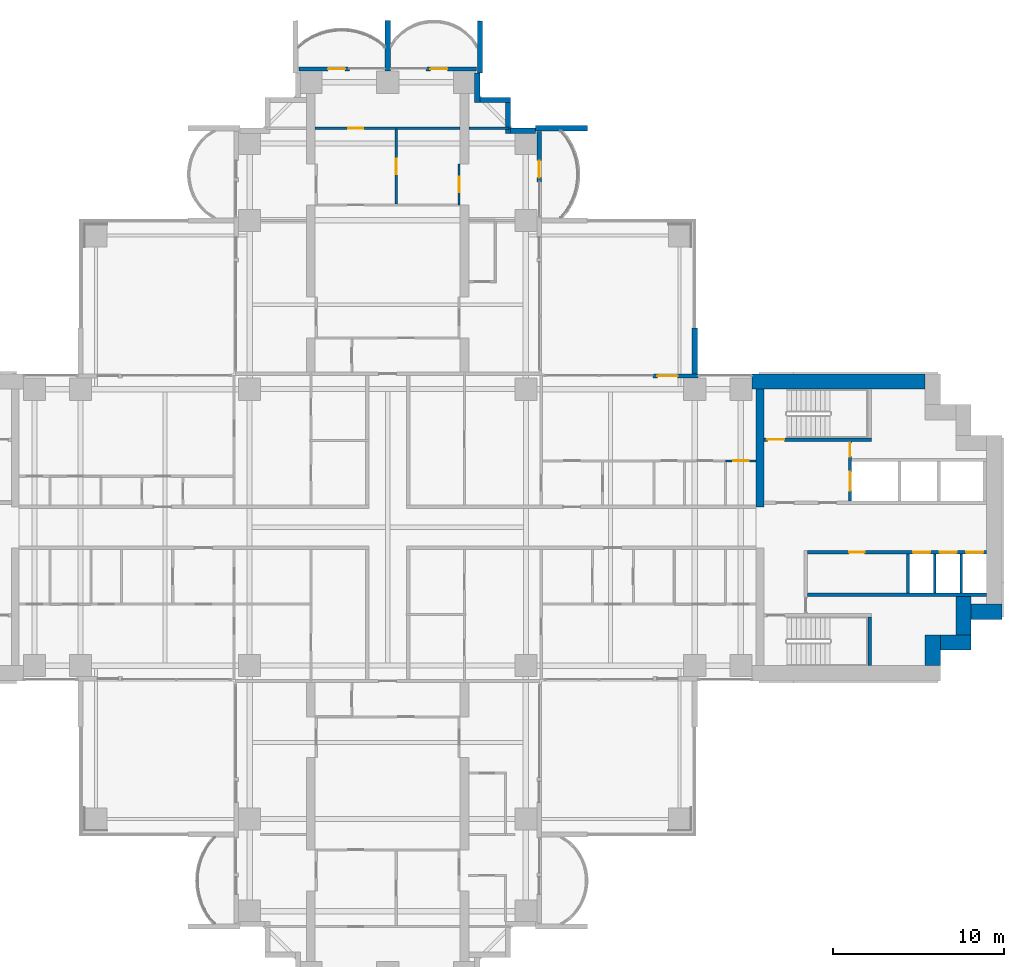
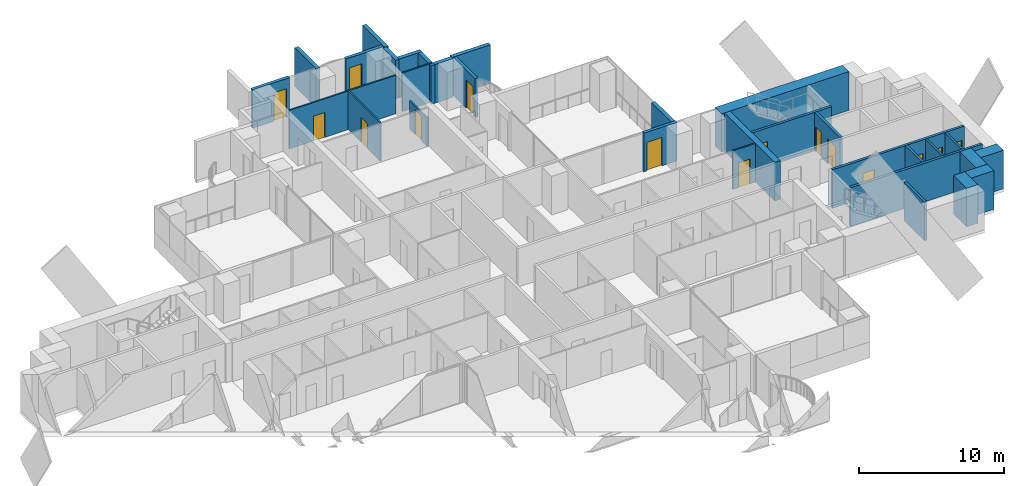
# One storey, part 16 of 22: 31 walls, 15 doors, 15 openings.
"""IFC4 building model written with IfcOpenShell, lengths in metres."""

from ifc_helpers import new_model, si_unit, direction, frame, frame_2d, origin, place, context, subcontext, project, spatial, rectangle, extrude, material, layer, layer_set, type_object, element, fill, save


model = new_model("IFC4")

# Units and contexts
model_context = context("Model", 3, precision=1e-05, world=origin(), true_north=direction((0.0, 1.0)))
body_context = subcontext(model_context, "Body", "Model", "MODEL_VIEW")
ifc_project = project(units=[si_unit("LENGTHUNIT", "METRE"), si_unit("AREAUNIT", "SQUARE_METRE"), si_unit("VOLUMEUNIT", "CUBIC_METRE"), si_unit("PLANEANGLEUNIT", "RADIAN"), si_unit("MASSUNIT", "GRAM", prefix="KILO")], contexts=[model_context])

# Site, building, storey
site_placement = place(None, origin())
site = spatial("IfcSite", under=ifc_project, at=site_placement, CompositionType="ELEMENT")
building_placement = place(site_placement, origin())
building = spatial("IfcBuilding", under=site, at=building_placement, Name="Perihelion Cross Residences", CompositionType="ELEMENT")
storey_placement = place(building_placement, frame((0.0, 0.0, 50.5)))
storey = spatial("IfcBuildingStorey", under=building, at=storey_placement, Name="L09", CompositionType="ELEMENT", Elevation=50.5)

# Wall, opening, door
ifc_material_1 = material(Name="Concrete C30/37, bronze-clad", Category="concrete")
ifc_layer_1 = layer(ifc_material_1, 0.25)
ifc_layer_set_1 = layer_set([ifc_layer_1], Name="Bronze-clad pier wall 250")
wall_type_1 = type_object("IfcWallType", Name="Bronze-clad pier wall 250", PredefinedType="SOLIDWALL", material=ifc_layer_set_1)
wall_1_placement = place(storey_placement, frame((18.199951171875, 8.875, 0.0), z_axis=(0.0, 0.0, 1.0), x_axis=(-1.0, 0.0, 0.0)))
wall_1 = element("IfcWall", 1, at=wall_1_placement, inside=storey, type_object=wall_type_1, Name="Wall FW1 L09 east side north bay 2 pier", PredefinedType="SOLIDWALL", context=body_context, shape_type="SweptSolid", body=[
    extrude(rectangle(XDim=2.64990234375, YDim=0.25, at=frame_2d((1.324951171875, 0.0))), origin(), (0.0, 0.0, 1.0), 3.25),
])
opening_1_placement = place(wall_1_placement, frame((1.199951171875, 0.0, 0.0)))
opening_1 = element("IfcOpeningElement", 2, at=opening_1_placement, cuts=wall_1, Name="Opening L09.E01", PredefinedType="OPENING", context=body_context, shape_type="SweptSolid", body=[
    extrude(rectangle(XDim=1.199951171875, YDim=2.39990234375, at=frame_2d((0.60009765625, 1.199951171875))), frame((0.0, 0.135009765625, 0.0), z_axis=(0.0, -1.0, 0.0), x_axis=(1.0, 0.0, 0.0)), (0.0, 0.0, 1.0), 0.27001953125),
])
ifc_material_2 = material(Name="Bronze anodised aluminium, glazed", Category="aluminium")
door_type_1 = type_object("IfcDoorType", Name="Balcony door 1200 x 2400", OperationType="NOTDEFINED", PredefinedType="DOOR", material=ifc_material_2)
door_1_placement = place(opening_1_placement, origin())
door_1 = element("IfcDoor", 3, at=door_1_placement, inside=storey, type_object=door_type_1, Name="Door L09.E01 east side north bay 2", OperationType="SINGLE_SWING_RIGHT", OverallHeight=2.39990234375, OverallWidth=1.199951171875, PredefinedType="DOOR", context=body_context, shape_type="SweptSolid", body=[
    extrude(rectangle(XDim=1.199951171875, YDim=2.39990234375, at=frame_2d((0.60009765625, 1.199951171875))), frame((0.0, 0.02490234375, 0.0), z_axis=(0.0, -1.0, 0.0), x_axis=(1.0, 0.0, 0.0)), (0.0, 0.0, 1.0), 0.050048828125),
])
fill(opening_1, door_1)

wall_2_placement = place(storey_placement, frame((8.875, 20.25, 0.0), z_axis=(0.0, 0.0, 1.0), x_axis=(0.0, 1.0, 0.0)))
wall_2 = element("IfcWall", 4, at=wall_2_placement, inside=storey, type_object=wall_type_1, Name="Wall FW1 L09 north side east bay 2 pier", PredefinedType="SOLIDWALL", context=body_context, shape_type="SweptSolid", body=[
    extrude(rectangle(XDim=2.949951171875, YDim=0.25, at=frame_2d((1.47509765625, 0.0))), origin(), (0.0, 0.0, 1.0), 3.25),
])
opening_2_placement = place(wall_2_placement, frame((0.25, 0.0, 0.0)))
opening_2 = element("IfcOpeningElement", 5, at=opening_2_placement, cuts=wall_2, Name="Opening L09.E03", PredefinedType="OPENING", context=body_context, shape_type="SweptSolid", body=[
    extrude(rectangle(XDim=1.0, YDim=2.39990234375, at=frame_2d((0.5, 1.199951171875))), frame((0.0, 0.135009765625, 0.0), z_axis=(0.0, -1.0, 0.0), x_axis=(1.0, 0.0, 0.0)), (0.0, 0.0, 1.0), 0.27001953125),
])
ifc_material_3 = material(Name="Bronze anodised aluminium, glazed", Category="aluminium")
door_type_2 = type_object("IfcDoorType", Name="Balcony door 1000 x 2400", OperationType="NOTDEFINED", PredefinedType="DOOR", material=ifc_material_3)
door_2_placement = place(opening_2_placement, origin())
door_2 = element("IfcDoor", 6, at=door_2_placement, inside=storey, type_object=door_type_2, Name="Door L09.E03 north side east bay 2", OperationType="SINGLE_SWING_RIGHT", OverallHeight=2.39990234375, OverallWidth=1.0, PredefinedType="DOOR", context=body_context, shape_type="SweptSolid", body=[
    extrude(rectangle(XDim=1.0, YDim=2.39990234375, at=frame_2d((0.5, 1.199951171875))), frame((0.0, 0.02490234375, 0.0), z_axis=(0.0, -1.0, 0.0), x_axis=(1.0, 0.0, 0.0)), (0.0, 0.0, 1.0), 0.050048828125),
])
fill(opening_2, door_2)

wall_3_placement = place(storey_placement, frame((5.199951171875, 26.875, 0.0), z_axis=(0.0, 0.0, 1.0), x_axis=(-1.0, 0.0, 0.0)))
wall_3 = element("IfcWall", 7, at=wall_3_placement, inside=storey, type_object=wall_type_1, Name="Wall FW1 L09 north tip north bay 1 pier", PredefinedType="SOLIDWALL", context=body_context, shape_type="SweptSolid", body=[
    extrude(rectangle(XDim=2.949951171875, YDim=0.25, at=frame_2d((1.47509765625, 0.0))), origin(), (0.0, 0.0, 1.0), 3.25),
])
opening_3_placement = place(wall_3_placement, frame((1.699951171875, 0.0, 0.0)))
opening_3 = element("IfcOpeningElement", 8, at=opening_3_placement, cuts=wall_3, Name="Opening L09.E04", PredefinedType="OPENING", context=body_context, shape_type="SweptSolid", body=[
    extrude(rectangle(XDim=1.0, YDim=2.39990234375, at=frame_2d((0.5, 1.199951171875))), frame((0.0, 0.135009765625, 0.0), z_axis=(0.0, -1.0, 0.0), x_axis=(1.0, 0.0, 0.0)), (0.0, 0.0, 1.0), 0.27001953125),
])
door_3_placement = place(opening_3_placement, origin())
door_3 = element("IfcDoor", 9, at=door_3_placement, inside=storey, type_object=door_type_2, Name="Door L09.E04 north tip north bay 1", OperationType="SINGLE_SWING_LEFT", OverallHeight=2.39990234375, OverallWidth=1.0, PredefinedType="DOOR", context=body_context, shape_type="SweptSolid", body=[
    extrude(rectangle(XDim=1.0, YDim=2.39990234375, at=frame_2d((0.5, 1.199951171875))), frame((0.0, 0.02490234375, 0.0), z_axis=(0.0, -1.0, 0.0), x_axis=(1.0, 0.0, 0.0)), (0.0, 0.0, 1.0), 0.050048828125),
])
fill(opening_3, door_3)

wall_4_placement = place(storey_placement, frame((-2.25, 26.875, 0.0), z_axis=(0.0, 0.0, 1.0), x_axis=(-1.0, 0.0, 0.0)))
wall_4 = element("IfcWall", 10, at=wall_4_placement, inside=storey, type_object=wall_type_1, Name="Wall FW1 L09 north tip north bay 2 pier", PredefinedType="SOLIDWALL", context=body_context, shape_type="SweptSolid", body=[
    extrude(rectangle(XDim=2.949951171875, YDim=0.25, at=frame_2d((1.47509765625, 0.0))), origin(), (0.0, 0.0, 1.0), 3.25),
])
opening_4_placement = place(wall_4_placement, frame((0.25, 0.0, 0.0)))
opening_4 = element("IfcOpeningElement", 11, at=opening_4_placement, cuts=wall_4, Name="Opening L09.E05", PredefinedType="OPENING", context=body_context, shape_type="SweptSolid", body=[
    extrude(rectangle(XDim=1.0, YDim=2.39990234375, at=frame_2d((0.5, 1.199951171875))), frame((0.0, 0.135009765625, 0.0), z_axis=(0.0, -1.0, 0.0), x_axis=(1.0, 0.0, 0.0)), (0.0, 0.0, 1.0), 0.27001953125),
])
door_4_placement = place(opening_4_placement, origin())
door_4 = element("IfcDoor", 12, at=door_4_placement, inside=storey, type_object=door_type_2, Name="Door L09.E05 north tip north bay 2", OperationType="SINGLE_SWING_RIGHT", OverallHeight=2.39990234375, OverallWidth=1.0, PredefinedType="DOOR", context=body_context, shape_type="SweptSolid", body=[
    extrude(rectangle(XDim=1.0, YDim=2.39990234375, at=frame_2d((0.5, 1.199951171875))), frame((0.0, 0.02490234375, 0.0), z_axis=(0.0, -1.0, 0.0), x_axis=(1.0, 0.0, 0.0)), (0.0, 0.0, 1.0), 0.050048828125),
])
fill(opening_4, door_4)

# Walls
ifc_material_4 = material(Name="Concrete C30/37, bronze-clad", Category="concrete")
ifc_layer_2 = layer(ifc_material_4, 0.300048828125)
ifc_layer_set_2 = layer_set([ifc_layer_2], Name="Bronze-clad serration wall 300")
wall_type_2 = type_object("IfcWallType", Name="Bronze-clad serration wall 300", PredefinedType="SOLIDWALL", material=ifc_layer_set_2)
wall_5_placement = place(storey_placement, frame((8.64990234375, 23.25, 0.0), z_axis=(0.0, 0.0, 1.0), x_axis=(-1.0, 0.0, 0.0)))
element("IfcWall", 13, at=wall_5_placement, inside=storey, type_object=wall_type_2, Name="Wall SR1 L09 north corner north-east 1", PredefinedType="SOLIDWALL", context=body_context, shape_type="SweptSolid", body=[
    extrude(rectangle(XDim=1.449951171875, YDim=0.300048828125, at=frame_2d((0.72509765625, 0.0))), origin(), (0.0, 0.0, 1.0), 3.25),
])
wall_6_placement = place(storey_placement, frame((7.050048828125, 23.10009765625, 0.0), z_axis=(0.0, 0.0, 1.0), x_axis=(0.0, 1.0, 0.0)))
element("IfcWall", 14, at=wall_6_placement, inside=storey, type_object=wall_type_2, Name="Wall SR1 L09 north corner north-east 2", PredefinedType="SOLIDWALL", context=body_context, shape_type="SweptSolid", body=[
    extrude(rectangle(XDim=1.7998046875, YDim=0.300048828125, at=frame_2d((0.89990234375, 0.0))), origin(), (0.0, 0.0, 1.0), 3.25),
])
wall_7_placement = place(storey_placement, frame((7.199951171875, 25.050048828125, 0.0), z_axis=(0.0, 0.0, 1.0), x_axis=(-1.0, 0.0, 0.0)))
element("IfcWall", 15, at=wall_7_placement, inside=storey, type_object=wall_type_2, Name="Wall SR1 L09 north corner north-east 3", PredefinedType="SOLIDWALL", context=body_context, shape_type="SweptSolid", body=[
    extrude(rectangle(XDim=1.800048828125, YDim=0.300048828125, at=frame_2d((0.89990234375, 0.0))), origin(), (0.0, 0.0, 1.0), 3.25),
])
wall_8_placement = place(storey_placement, frame((5.25, 24.89990234375, 0.0), z_axis=(0.0, 0.0, 1.0), x_axis=(0.0, 1.0, 0.0)))
element("IfcWall", 16, at=wall_8_placement, inside=storey, type_object=wall_type_2, Name="Wall SR1 L09 north corner north-east 4", PredefinedType="SOLIDWALL", context=body_context, shape_type="SweptSolid", body=[
    extrude(rectangle(XDim=1.75, YDim=0.300048828125, at=frame_2d((0.875, 0.0))), origin(), (0.0, 0.0, 1.0), 3.25),
])
ifc_material_5 = material(Name="Concrete C60/75", Category="concrete")
ifc_layer_3 = layer(ifc_material_5, 0.449951171875)
ifc_layer_set_3 = layer_set([ifc_layer_3], Name="Core wall, inner 450")
wall_type_3 = type_object("IfcWallType", Name="Core wall, inner 450", PredefinedType="SHEAR", material=ifc_layer_set_3)
wall_9_placement = place(storey_placement, frame((21.824951171875, 1.199951171875, 0.0), z_axis=(0.0, 0.0, 1.0), x_axis=(0.0, 1.0, 0.0)))
element("IfcWall", 17, at=wall_9_placement, inside=storey, type_object=wall_type_3, Name="East core core wall, inner", PredefinedType="SHEAR", context=body_context, shape_type="SweptSolid", body=[
    extrude(rectangle(XDim=6.900146484375, YDim=0.449951171875, at=frame_2d((3.4501953125, 0.0))), origin(), (0.0, 0.0, 1.0), 3.25),
])
ifc_material_6 = material(Name="Concrete C60/75", Category="concrete")
ifc_layer_4 = layer(ifc_material_6, 0.89990234375)
ifc_layer_set_4 = layer_set([ifc_layer_4], Name="Core wall, outer 900")
wall_type_4 = type_object("IfcWallType", Name="Core wall, outer 900", PredefinedType="SHEAR", material=ifc_layer_set_4)
for number, where, z_axis, x_axis, name in (
    (18, (31.949951171875, -8.10009765625, 0.0), (0.0, 0.0, 1.0), (0.0, 1.0, 0.0), "East core core wall, outer"),
    (19, (32.39990234375, -6.75, 0.0), (0.0, 0.0, 1.0), (1.0, 0.0, 0.0), "East core core wall, outer"),
):
    element("IfcWall", number, at=place(storey_placement, frame(where, z_axis=z_axis, x_axis=x_axis)), inside=storey, type_object=wall_type_4, Name=name, PredefinedType="SHEAR", context=body_context, shape_type="SweptSolid", body=[
        extrude(rectangle(XDim=1.800048828125, YDim=0.89990234375, at=frame_2d((0.89990234375, 0.0))), origin(), (0.0, 0.0, 1.0), 3.25),
    ])
wall_10_placement = place(storey_placement, frame((33.75, -6.300048828125, 0.0), z_axis=(0.0, 0.0, 1.0), x_axis=(0.0, 1.0, 0.0)))
element("IfcWall", 20, at=wall_10_placement, inside=storey, type_object=wall_type_4, Name="East core core wall, outer", PredefinedType="SHEAR", context=body_context, shape_type="SweptSolid", body=[
    extrude(rectangle(XDim=2.25, YDim=0.89990234375, at=frame_2d((1.125, 0.0))), origin(), (0.0, 0.0, 1.0), 3.25),
])
wall_11_placement = place(storey_placement, frame((34.199951171875, -4.949951171875, 0.0), z_axis=(0.0, 0.0, 1.0), x_axis=(1.0, 0.0, 0.0)))
element("IfcWall", 21, at=wall_11_placement, inside=storey, type_object=wall_type_4, Name="East core core wall, outer", PredefinedType="SHEAR", context=body_context, shape_type="SweptSolid", body=[
    extrude(rectangle(XDim=1.800048828125, YDim=0.89990234375, at=frame_2d((0.89990234375, 0.0))), origin(), (0.0, 0.0, 1.0), 3.25),
])
wall_12_placement = place(storey_placement, frame((21.35009765625, 8.550048828125, 0.0), z_axis=(0.0, 0.0, 1.0), x_axis=(1.0, 0.0, 0.0)))
element("IfcWall", 22, at=wall_12_placement, inside=storey, type_object=wall_type_4, Name="East core core wall, outer", PredefinedType="SHEAR", context=body_context, shape_type="SweptSolid", body=[
    extrude(rectangle(XDim=10.14990234375, YDim=0.89990234375, at=frame_2d((5.074951171875, 0.0))), origin(), (0.0, 0.0, 1.0), 3.25),
])

# Wall, opening, door
ifc_material_7 = material(Name="Plasterboard partition")
ifc_layer_5 = layer(ifc_material_7, 0.1201171875)
ifc_layer_set_5 = layer_set([ifc_layer_5], Name="Infill panel 120")
wall_type_5 = type_object("IfcWallType", Name="Infill panel 120", PredefinedType="PARTITIONING", material=ifc_layer_set_5)
wall_13_placement = place(storey_placement, frame((4.18994140625, 18.89990234375, 0.0), z_axis=(0.0, 0.0, 1.0), x_axis=(0.0, 1.0, 0.0)))
wall_13 = element("IfcWall", 23, at=wall_13_placement, inside=storey, type_object=wall_type_5, Name="Partition L09 WI02", PredefinedType="PARTITIONING", context=body_context, shape_type="SweptSolid", body=[
    extrude(rectangle(XDim=2.400146484375, YDim=0.1201171875, at=frame_2d((1.2001953125, 0.0))), origin(), (0.0, 0.0, 1.0), 2.39990234375),
])
opening_5_placement = place(wall_13_placement, frame((0.75, 0.0, 0.0)))
opening_5 = element("IfcOpeningElement", 24, at=opening_5_placement, cuts=wall_13, Name="Opening L09.A52", PredefinedType="OPENING", context=body_context, shape_type="SweptSolid", body=[
    extrude(rectangle(XDim=0.89990234375, YDim=2.10009765625, at=frame_2d((0.449951171875, 1.050048828125))), frame((0.0, 0.070068359375, 0.0), z_axis=(0.0, -1.0, 0.0), x_axis=(1.0, 0.0, 0.0)), (0.0, 0.0, 1.0), 0.14013671875),
])
ifc_material_8 = material(Name="Timber door leaf", Category="wood")
door_type_3 = type_object("IfcDoorType", Name="Interior room door 900 x 2100", OperationType="SINGLE_SWING_LEFT", PredefinedType="DOOR", material=ifc_material_8)
door_5_placement = place(opening_5_placement, origin())
door_5 = element("IfcDoor", 25, at=door_5_placement, inside=storey, type_object=door_type_3, Name="Door L09.A52", OperationType="SINGLE_SWING_RIGHT", OverallHeight=2.10009765625, OverallWidth=0.89990234375, PredefinedType="DOOR", context=body_context, shape_type="SweptSolid", body=[
    extrude(rectangle(XDim=0.89990234375, YDim=2.10009765625, at=frame_2d((0.449951171875, 1.050048828125))), frame((0.0, 0.02490234375, 0.0), z_axis=(0.0, -1.0, 0.0), x_axis=(1.0, 0.0, 0.0)), (0.0, 0.0, 1.0), 0.050048828125),
])
fill(opening_5, door_5)

ifc_material_9 = material(Name="Plasterboard partition")
ifc_layer_6 = layer(ifc_material_9, 0.1201171875)
ifc_layer_set_6 = layer_set([ifc_layer_6], Name="Partition wall 120")
wall_type_6 = type_object("IfcWallType", Name="Partition wall 120", PredefinedType="PARTITIONING", material=ifc_layer_set_6)
wall_14_placement = place(storey_placement, frame((19.800048828125, 3.89990234375, 0.0), z_axis=(0.0, 0.0, 1.0), x_axis=(1.0, 0.0, 0.0)))
wall_14 = element("IfcWall", 26, at=wall_14_placement, inside=storey, type_object=wall_type_6, Name="Partition L09 W018", PredefinedType="PARTITIONING", context=body_context, shape_type="SweptSolid", body=[
    extrude(rectangle(XDim=1.800048828125, YDim=0.1201171875, at=frame_2d((0.89990234375, 0.0))), origin(), (0.0, 0.0, 1.0), 3.25),
])
opening_6_placement = place(wall_14_placement, frame((0.449951171875, 0.0, 0.0)))
opening_6 = element("IfcOpeningElement", 27, at=opening_6_placement, cuts=wall_14, Name="Opening L09.A03", PredefinedType="OPENING", context=body_context, shape_type="SweptSolid", body=[
    extrude(rectangle(XDim=0.89990234375, YDim=2.10009765625, at=frame_2d((0.449951171875, 1.050048828125))), frame((0.0, 0.070068359375, 0.0), z_axis=(0.0, -1.0, 0.0), x_axis=(1.0, 0.0, 0.0)), (0.0, 0.0, 1.0), 0.14013671875),
])
door_6_placement = place(opening_6_placement, origin())
door_6 = element("IfcDoor", 28, at=door_6_placement, inside=storey, type_object=door_type_3, Name="Door L09.A03", OperationType="SINGLE_SWING_RIGHT", OverallHeight=2.10009765625, OverallWidth=0.89990234375, PredefinedType="DOOR", context=body_context, shape_type="SweptSolid", body=[
    extrude(rectangle(XDim=0.89990234375, YDim=2.10009765625, at=frame_2d((0.449951171875, 1.050048828125))), frame((0.0, 0.02490234375, 0.0), z_axis=(0.0, -1.0, 0.0), x_axis=(1.0, 0.0, 0.0)), (0.0, 0.0, 1.0), 0.050048828125),
])
fill(opening_6, door_6)

wall_15_placement = place(storey_placement, frame((0.5, 23.340087890625, 0.0), z_axis=(0.0, 0.0, 1.0), x_axis=(0.0, -1.0, 0.0)))
wall_15 = element("IfcWall", 29, at=wall_15_placement, inside=storey, type_object=wall_type_6, Name="Partition L09 W057", PredefinedType="PARTITIONING", context=body_context, shape_type="SweptSolid", body=[
    extrude(rectangle(XDim=4.380126953125, YDim=0.1201171875, at=frame_2d((2.18994140625, 0.0))), origin(), (0.0, 0.0, 1.0), 3.25),
])
opening_7_placement = place(wall_15_placement, frame((1.739990234375, 0.0, 0.0)))
opening_7 = element("IfcOpeningElement", 30, at=opening_7_placement, cuts=wall_15, Name="Opening L09.A36", PredefinedType="OPENING", context=body_context, shape_type="SweptSolid", body=[
    extrude(rectangle(XDim=0.89990234375, YDim=2.10009765625, at=frame_2d((0.449951171875, 1.050048828125))), frame((0.0, 0.070068359375, 0.0), z_axis=(0.0, -1.0, 0.0), x_axis=(1.0, 0.0, 0.0)), (0.0, 0.0, 1.0), 0.14013671875),
])
door_7_placement = place(opening_7_placement, origin())
door_7 = element("IfcDoor", 31, at=door_7_placement, inside=storey, type_object=door_type_3, Name="Door L09.A36", OperationType="SINGLE_SWING_LEFT", OverallHeight=2.10009765625, OverallWidth=0.89990234375, PredefinedType="DOOR", context=body_context, shape_type="SweptSolid", body=[
    extrude(rectangle(XDim=0.89990234375, YDim=2.10009765625, at=frame_2d((0.449951171875, 1.050048828125))), frame((0.0, 0.02490234375, 0.0), z_axis=(0.0, -1.0, 0.0), x_axis=(1.0, 0.0, 0.0)), (0.0, 0.0, 1.0), 0.050048828125),
])
fill(opening_7, door_7)

wall_16_placement = place(storey_placement, frame((-4.25, 23.39990234375, 0.0), z_axis=(0.0, 0.0, 1.0), x_axis=(1.0, 0.0, 0.0)))
wall_16 = element("IfcWall", 32, at=wall_16_placement, inside=storey, type_object=wall_type_6, Name="Partition L09 W058", PredefinedType="PARTITIONING", context=body_context, shape_type="SweptSolid", body=[
    extrude(rectangle(XDim=8.5, YDim=0.1201171875, at=frame_2d((4.25, 0.0))), origin(), (0.0, 0.0, 1.0), 3.25),
])
opening_8_placement = place(wall_16_placement, frame((1.925048828125, 0.0, 0.0)))
opening_8 = element("IfcOpeningElement", 33, at=opening_8_placement, cuts=wall_16, Name="Opening L09.A37", PredefinedType="OPENING", context=body_context, shape_type="SweptSolid", body=[
    extrude(rectangle(XDim=0.89990234375, YDim=2.10009765625, at=frame_2d((0.449951171875, 1.050048828125))), frame((0.0, 0.070068359375, 0.0), z_axis=(0.0, -1.0, 0.0), x_axis=(1.0, 0.0, 0.0)), (0.0, 0.0, 1.0), 0.14013671875),
])
door_8_placement = place(opening_8_placement, origin())
door_8 = element("IfcDoor", 34, at=door_8_placement, inside=storey, type_object=door_type_3, Name="Door L09.A37", OperationType="SINGLE_SWING_LEFT", OverallHeight=2.10009765625, OverallWidth=0.89990234375, PredefinedType="DOOR", context=body_context, shape_type="SweptSolid", body=[
    extrude(rectangle(XDim=0.89990234375, YDim=2.10009765625, at=frame_2d((0.449951171875, 1.050048828125))), frame((0.0, 0.02490234375, 0.0), z_axis=(0.0, -1.0, 0.0), x_axis=(1.0, 0.0, 0.0)), (0.0, 0.0, 1.0), 0.050048828125),
])
fill(opening_8, door_8)

# Walls
wall_17_placement = place(storey_placement, frame((4.75, 23.39990234375, 0.0), z_axis=(0.0, 0.0, 1.0), x_axis=(1.0, 0.0, 0.0)))
element("IfcWall", 35, at=wall_17_placement, inside=storey, type_object=wall_type_6, Name="Partition L09 W063", PredefinedType="PARTITIONING", context=body_context, shape_type="SweptSolid", body=[
    extrude(rectangle(XDim=2.3701171875, YDim=0.1201171875, at=frame_2d((1.18505859375, 0.0))), origin(), (0.0, 0.0, 1.0), 3.25),
])
ifc_material_10 = material(Name="Precast concrete C50/60", Category="concrete")
ifc_layer_7 = layer(ifc_material_10, 0.300048828125)
ifc_layer_set_7 = layer_set([ifc_layer_7], Name="Precast concrete C50/60 blade wall 300")
wall_type_7 = type_object("IfcWallType", Name="Precast concrete C50/60 blade wall 300", PredefinedType="SOLIDWALL", material=ifc_layer_set_7)
wall_18_placement = place(storey_placement, frame((0.0, 26.75, 0.0), z_axis=(0.0, 0.0, 1.0), x_axis=(0.0, 1.0, 0.0)))
element("IfcWall", 36, at=wall_18_placement, inside=storey, type_object=wall_type_7, Name="Wall BL1 L09 no. 10", PredefinedType="SOLIDWALL", context=body_context, shape_type="SweptSolid", body=[
    extrude(rectangle(XDim=2.949951171875, YDim=0.300048828125, at=frame_2d((1.47509765625, 0.0))), origin(), (0.0, 0.0, 1.0), 3.25),
])
for number, where, z_axis, x_axis, name in (
    (37, (5.39990234375, 26.64990234375, 0.0), (0.0, 0.0, 1.0), (0.0, 1.0, 0.0), "Wall BL1 L09 no. 14"),
    (38, (8.64990234375, 23.39990234375, 0.0), (0.0, 0.0, 1.0), (1.0, 0.0, 0.0), "Wall BL1 L09 no. 18"),
):
    element("IfcWall", number, at=place(storey_placement, frame(where, z_axis=z_axis, x_axis=x_axis)), inside=storey, type_object=wall_type_7, Name=name, PredefinedType="SOLIDWALL", context=body_context, shape_type="SweptSolid", body=[
        extrude(rectangle(XDim=3.050048828125, YDim=0.300048828125, at=frame_2d((1.52490234375, 0.0))), origin(), (0.0, 0.0, 1.0), 3.25),
    ])
wall_19_placement = place(storey_placement, frame((18.0, 8.75, 0.0), z_axis=(0.0, 0.0, 1.0), x_axis=(0.0, 1.0, 0.0)))
element("IfcWall", 39, at=wall_19_placement, inside=storey, type_object=wall_type_7, Name="Wall BL1 L09 no. 12", PredefinedType="SOLIDWALL", context=body_context, shape_type="SweptSolid", body=[
    extrude(rectangle(XDim=2.949951171875, YDim=0.300048828125, at=frame_2d((1.47509765625, 0.0))), origin(), (0.0, 0.0, 1.0), 3.25),
])
ifc_material_11 = material(Name="Concrete C50/60", Category="concrete")
ifc_layer_8 = layer(ifc_material_11, 0.14990234375)
ifc_layer_set_8 = layer_set([ifc_layer_8], Name="Shaft wall 150")
wall_type_8 = type_object("IfcWallType", Name="Shaft wall 150", PredefinedType="SOLIDWALL", material=ifc_layer_set_8)
for number, where, z_axis, x_axis, name in (
    (40, (32.074951171875, -3.85009765625, 0.0), (0.0, 0.0, 1.0), (0.0, 1.0, 0.0), "East core shaft wall"),
    (41, (33.625, -3.85009765625, 0.0), (0.0, 0.0, 1.0), (0.0, 1.0, 0.0), "East core shaft wall"),
):
    element("IfcWall", number, at=place(storey_placement, frame(where, z_axis=z_axis, x_axis=x_axis)), inside=storey, type_object=wall_type_8, Name=name, PredefinedType="SOLIDWALL", context=body_context, shape_type="SweptSolid", body=[
        extrude(rectangle(XDim=2.300048828125, YDim=0.14990234375, at=frame_2d((1.14990234375, 0.0))), origin(), (0.0, 0.0, 1.0), 3.25),
    ])

# Wall, openings, doors
ifc_material_12 = material(Name="Concrete C50/60", Category="concrete")
ifc_layer_9 = layer(ifc_material_12, 0.199951171875)
ifc_layer_set_9 = layer_set([ifc_layer_9], Name="Shaft wall 200")
wall_type_9 = type_object("IfcWallType", Name="Shaft wall 200", PredefinedType="SOLIDWALL", material=ifc_layer_set_9)
wall_20_placement = place(storey_placement, frame((24.60009765625, -1.449951171875, 0.0), z_axis=(0.0, 0.0, 1.0), x_axis=(1.0, 0.0, 0.0)))
wall_20 = element("IfcWall", 42, at=wall_20_placement, inside=storey, type_object=wall_type_9, Name="East core shaft wall", PredefinedType="SOLIDWALL", context=body_context, shape_type="SweptSolid", body=[
    extrude(rectangle(XDim=10.5, YDim=0.199951171875, at=frame_2d((5.25, 0.0))), origin(), (0.0, 0.0, 1.0), 3.25),
])
opening_9_placement = place(wall_20_placement, frame((6.199951171875, 0.0, 0.0)))
opening_9 = element("IfcOpeningElement", 43, at=opening_9_placement, cuts=wall_20, Name="Opening L09.C02", PredefinedType="OPENING", context=body_context, shape_type="SweptSolid", body=[
    extrude(rectangle(XDim=1.0, YDim=2.10009765625, at=frame_2d((0.5, 1.050048828125))), frame((0.0, 0.10986328125, 0.0), z_axis=(0.0, -1.0, 0.0), x_axis=(1.0, 0.0, 0.0)), (0.0, 0.0, 1.0), 0.219970703125),
])
opening_10_placement = place(wall_20_placement, frame((7.75, 0.0, 0.0)))
opening_10 = element("IfcOpeningElement", 44, at=opening_10_placement, cuts=wall_20, Name="Opening L09.C03", PredefinedType="OPENING", context=body_context, shape_type="SweptSolid", body=[
    extrude(rectangle(XDim=1.0, YDim=2.10009765625, at=frame_2d((0.5, 1.050048828125))), frame((0.0, 0.10986328125, 0.0), z_axis=(0.0, -1.0, 0.0), x_axis=(1.0, 0.0, 0.0)), (0.0, 0.0, 1.0), 0.219970703125),
])
opening_11_placement = place(wall_20_placement, frame((9.300048828125, 0.0, 0.0)))
opening_11 = element("IfcOpeningElement", 45, at=opening_11_placement, cuts=wall_20, Name="Opening L09.C04", PredefinedType="OPENING", context=body_context, shape_type="SweptSolid", body=[
    extrude(rectangle(XDim=1.0, YDim=2.10009765625, at=frame_2d((0.5, 1.050048828125))), frame((0.0, 0.10986328125, 0.0), z_axis=(0.0, -1.0, 0.0), x_axis=(1.0, 0.0, 0.0)), (0.0, 0.0, 1.0), 0.219970703125),
])
opening_12_placement = place(wall_20_placement, frame((2.449951171875, 0.0, 0.0)))
opening_12 = element("IfcOpeningElement", 46, at=opening_12_placement, cuts=wall_20, Name="Opening L09.C11", PredefinedType="OPENING", context=body_context, shape_type="SweptSolid", body=[
    extrude(rectangle(XDim=0.89990234375, YDim=2.10009765625, at=frame_2d((0.449951171875, 1.050048828125))), frame((0.0, 0.10986328125, 0.0), z_axis=(0.0, -1.0, 0.0), x_axis=(1.0, 0.0, 0.0)), (0.0, 0.0, 1.0), 0.219970703125),
])
ifc_material_13 = material(Name="Stainless steel", Category="steel")
door_type_4 = type_object("IfcDoorType", Name="Landing door 1000", OperationType="DOUBLE_DOOR_SLIDING", PredefinedType="DOOR", material=ifc_material_13)
door_9_placement = place(opening_9_placement, origin())
door_9 = element("IfcDoor", 47, at=door_9_placement, inside=storey, type_object=door_type_4, Name="Landing door, East core low-rise lift 1", OperationType="DOUBLE_DOOR_SLIDING", OverallHeight=2.10009765625, OverallWidth=1.0, PredefinedType="DOOR", context=body_context, shape_type="SweptSolid", body=[
    extrude(rectangle(XDim=1.0, YDim=2.10009765625, at=frame_2d((0.5, 1.050048828125))), frame((0.0, 0.02490234375, 0.0), z_axis=(0.0, -1.0, 0.0), x_axis=(1.0, 0.0, 0.0)), (0.0, 0.0, 1.0), 0.050048828125),
])
fill(opening_9, door_9)
door_10_placement = place(opening_10_placement, origin())
door_10 = element("IfcDoor", 48, at=door_10_placement, inside=storey, type_object=door_type_4, Name="Landing door, East core low-rise lift 2", OperationType="DOUBLE_DOOR_SLIDING", OverallHeight=2.10009765625, OverallWidth=1.0, PredefinedType="DOOR", context=body_context, shape_type="SweptSolid", body=[
    extrude(rectangle(XDim=1.0, YDim=2.10009765625, at=frame_2d((0.5, 1.050048828125))), frame((0.0, 0.02490234375, 0.0), z_axis=(0.0, -1.0, 0.0), x_axis=(1.0, 0.0, 0.0)), (0.0, 0.0, 1.0), 0.050048828125),
])
fill(opening_10, door_10)
door_11_placement = place(opening_11_placement, origin())
door_11 = element("IfcDoor", 49, at=door_11_placement, inside=storey, type_object=door_type_4, Name="Landing door, East core low-rise lift 3", OperationType="DOUBLE_DOOR_SLIDING", OverallHeight=2.10009765625, OverallWidth=1.0, PredefinedType="DOOR", context=body_context, shape_type="SweptSolid", body=[
    extrude(rectangle(XDim=1.0, YDim=2.10009765625, at=frame_2d((0.5, 1.050048828125))), frame((0.0, 0.02490234375, 0.0), z_axis=(0.0, -1.0, 0.0), x_axis=(1.0, 0.0, 0.0)), (0.0, 0.0, 1.0), 0.050048828125),
])
fill(opening_11, door_11)
ifc_material_14 = material(Name="Steel, powder coated", Category="steel")
door_type_5 = type_object("IfcDoorType", Name="Service room door 900", OperationType="SINGLE_SWING_LEFT", PredefinedType="DOOR", material=ifc_material_14)
door_12_placement = place(opening_12_placement, origin())
door_12 = element("IfcDoor", 50, at=door_12_placement, inside=storey, type_object=door_type_5, Name="East core service room door", OperationType="SINGLE_SWING_LEFT", OverallHeight=2.10009765625, OverallWidth=0.89990234375, PredefinedType="DOOR", context=body_context, shape_type="SweptSolid", body=[
    extrude(rectangle(XDim=0.89990234375, YDim=2.10009765625, at=frame_2d((0.449951171875, 1.050048828125))), frame((0.0, 0.02490234375, 0.0), z_axis=(0.0, -1.0, 0.0), x_axis=(1.0, 0.0, 0.0)), (0.0, 0.0, 1.0), 0.050048828125),
])
fill(opening_12, door_12)

# Wall
wall_21_placement = place(storey_placement, frame((24.60009765625, -3.949951171875, 0.0), z_axis=(0.0, 0.0, 1.0), x_axis=(1.0, 0.0, 0.0)))
element("IfcWall", 51, at=wall_21_placement, inside=storey, type_object=wall_type_9, Name="East core shaft wall", PredefinedType="SOLIDWALL", context=body_context, shape_type="SweptSolid", body=[
    extrude(rectangle(XDim=10.5, YDim=0.199951171875, at=frame_2d((5.25, 0.0))), origin(), (0.0, 0.0, 1.0), 3.25),
])

# Wall, openings, doors
wall_22_placement = place(storey_placement, frame((27.10009765625, 1.550048828125, 0.0), z_axis=(0.0, 0.0, 1.0), x_axis=(0.0, 1.0, 0.0)))
wall_22 = element("IfcWall", 52, at=wall_22_placement, inside=storey, type_object=wall_type_9, Name="East core shaft wall", PredefinedType="SOLIDWALL", context=body_context, shape_type="SweptSolid", body=[
    extrude(rectangle(XDim=3.5, YDim=0.199951171875, at=frame_2d((1.75, 0.0))), origin(), (0.0, 0.0, 1.0), 3.25),
])
opening_13_placement = place(wall_22_placement, frame((0.60009765625, 0.0, 0.0)))
opening_13 = element("IfcOpeningElement", 53, at=opening_13_placement, cuts=wall_22, Name="Opening L09.C01", PredefinedType="OPENING", context=body_context, shape_type="SweptSolid", body=[
    extrude(rectangle(XDim=1.10009765625, YDim=2.10009765625, at=frame_2d((0.550048828125, 1.050048828125))), frame((0.0, 0.10986328125, 0.0), z_axis=(0.0, -1.0, 0.0), x_axis=(1.0, 0.0, 0.0)), (0.0, 0.0, 1.0), 0.219970703125),
])
opening_14_placement = place(wall_22_placement, frame((2.60009765625, 0.0, 0.0)))
opening_14 = element("IfcOpeningElement", 54, at=opening_14_placement, cuts=wall_22, Name="Opening L09.C10", PredefinedType="OPENING", context=body_context, shape_type="SweptSolid", body=[
    extrude(rectangle(XDim=0.800048828125, YDim=2.10009765625, at=frame_2d((0.39990234375, 1.050048828125))), frame((0.0, 0.10986328125, 0.0), z_axis=(0.0, -1.0, 0.0), x_axis=(1.0, 0.0, 0.0)), (0.0, 0.0, 1.0), 0.219970703125),
])
ifc_material_15 = material(Name="Stainless steel", Category="steel")
door_type_6 = type_object("IfcDoorType", Name="Landing door, firefighting lift 1100", OperationType="DOUBLE_DOOR_SLIDING", PredefinedType="DOOR", material=ifc_material_15)
door_13_placement = place(opening_13_placement, origin())
door_13 = element("IfcDoor", 55, at=door_13_placement, inside=storey, type_object=door_type_6, Name="Landing door, East core firefighting and service lift", OperationType="DOUBLE_DOOR_SLIDING", OverallHeight=2.10009765625, OverallWidth=1.10009765625, PredefinedType="DOOR", context=body_context, shape_type="SweptSolid", body=[
    extrude(rectangle(XDim=1.10009765625, YDim=2.10009765625, at=frame_2d((0.550048828125, 1.050048828125))), frame((0.0, 0.02490234375, 0.0), z_axis=(0.0, -1.0, 0.0), x_axis=(1.0, 0.0, 0.0)), (0.0, 0.0, 1.0), 0.050048828125),
])
fill(opening_13, door_13)
ifc_material_16 = material(Name="Steel, powder coated", Category="steel")
door_type_7 = type_object("IfcDoorType", Name="Riser door 800", OperationType="SINGLE_SWING_LEFT", PredefinedType="DOOR", material=ifc_material_16)
door_14_placement = place(opening_14_placement, origin())
door_14 = element("IfcDoor", 56, at=door_14_placement, inside=storey, type_object=door_type_7, Name="East core riser door", OperationType="SINGLE_SWING_LEFT", OverallHeight=2.10009765625, OverallWidth=0.800048828125, PredefinedType="DOOR", context=body_context, shape_type="SweptSolid", body=[
    extrude(rectangle(XDim=0.800048828125, YDim=2.10009765625, at=frame_2d((0.39990234375, 1.050048828125))), frame((0.0, 0.02490234375, 0.0), z_axis=(0.0, -1.0, 0.0), x_axis=(1.0, 0.0, 0.0)), (0.0, 0.0, 1.0), 0.050048828125),
])
fill(opening_14, door_14)

# Wall
wall_23_placement = place(storey_placement, frame((30.5, -3.85009765625, 0.0), z_axis=(0.0, 0.0, 1.0), x_axis=(0.0, 1.0, 0.0)))
element("IfcWall", 57, at=wall_23_placement, inside=storey, type_object=wall_type_9, Name="East core shaft wall", PredefinedType="SOLIDWALL", context=body_context, shape_type="SweptSolid", body=[
    extrude(rectangle(XDim=2.300048828125, YDim=0.199951171875, at=frame_2d((1.14990234375, 0.0))), origin(), (0.0, 0.0, 1.0), 3.25),
])

# Wall, opening, door
ifc_material_17 = material(Name="Concrete C50/60", Category="concrete")
ifc_layer_10 = layer(ifc_material_17, 0.199951171875)
ifc_layer_set_10 = layer_set([ifc_layer_10], Name="Stair wall 200")
wall_type_10 = type_object("IfcWallType", Name="Stair wall 200", PredefinedType="SOLIDWALL", material=ifc_layer_set_10)
wall_24_placement = place(storey_placement, frame((22.050048828125, 5.14990234375, 0.0), z_axis=(0.0, 0.0, 1.0), x_axis=(1.0, 0.0, 0.0)))
wall_24 = element("IfcWall", 58, at=wall_24_placement, inside=storey, type_object=wall_type_10, Name="East core stair wall", PredefinedType="SOLIDWALL", context=body_context, shape_type="SweptSolid", body=[
    extrude(rectangle(XDim=6.300048828125, YDim=0.199951171875, at=frame_2d((3.14990234375, 0.0))), origin(), (0.0, 0.0, 1.0), 3.25),
])
opening_15_placement = place(wall_24_placement, frame((0.199951171875, 0.0, 0.0)))
opening_15 = element("IfcOpeningElement", 59, at=opening_15_placement, cuts=wall_24, Name="Opening L09.C06", PredefinedType="OPENING", context=body_context, shape_type="SweptSolid", body=[
    extrude(rectangle(XDim=1.0, YDim=2.10009765625, at=frame_2d((0.5, 1.050048828125))), frame((0.0, 0.10986328125, 0.0), z_axis=(0.0, -1.0, 0.0), x_axis=(1.0, 0.0, 0.0)), (0.0, 0.0, 1.0), 0.219970703125),
])
ifc_material_18 = material(Name="Steel, powder coated", Category="steel")
door_type_8 = type_object("IfcDoorType", Name="Stair door 1000", OperationType="SINGLE_SWING_LEFT", PredefinedType="DOOR", material=ifc_material_18)
door_15_placement = place(opening_15_placement, origin())
door_15 = element("IfcDoor", 60, at=door_15_placement, inside=storey, type_object=door_type_8, Name="East core stair door", OperationType="SINGLE_SWING_LEFT", OverallHeight=2.10009765625, OverallWidth=1.0, PredefinedType="DOOR", context=body_context, shape_type="SweptSolid", body=[
    extrude(rectangle(XDim=1.0, YDim=2.10009765625, at=frame_2d((0.5, 1.050048828125))), frame((0.0, 0.02490234375, 0.0), z_axis=(0.0, -1.0, 0.0), x_axis=(1.0, 0.0, 0.0)), (0.0, 0.0, 1.0), 0.050048828125),
])
fill(opening_15, door_15)

# Wall
wall_25_placement = place(storey_placement, frame((28.25, -8.10009765625, 0.0), z_axis=(0.0, 0.0, 1.0), x_axis=(0.0, 1.0, 0.0)))
element("IfcWall", 61, at=wall_25_placement, inside=storey, type_object=wall_type_10, Name="East core stair wall", PredefinedType="SOLIDWALL", context=body_context, shape_type="SweptSolid", body=[
    extrude(rectangle(XDim=2.85009765625, YDim=0.199951171875, at=frame_2d((1.425048828125, 0.0))), origin(), (0.0, 0.0, 1.0), 3.25),
])

save(model, "model.ifc")
